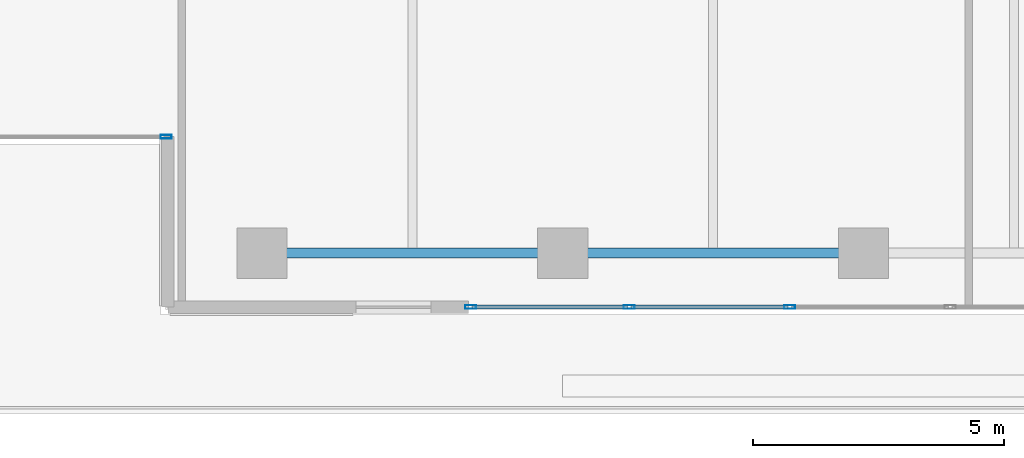
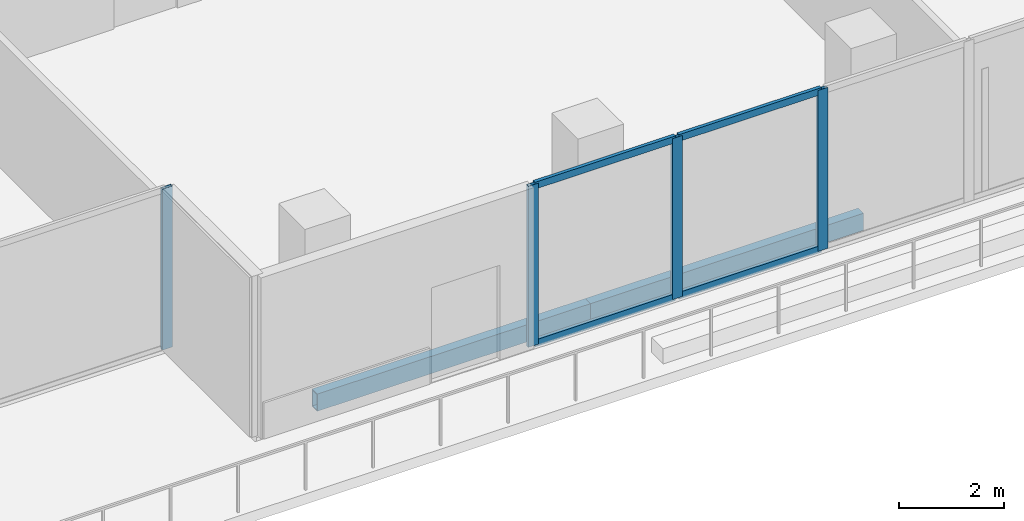
# One storey, part 6 of 38: 8 members, 2 beams, 2 elements without a shape of their own.
"""IFC4 building model written with IfcOpenShell, lengths in metres."""

from ifc_helpers import new_model, si_unit, direction, frame, origin, origin_2d, place, context, subcontext, project, spatial, hollow_rectangle, extrude, material, layer, layer_set, material_profile, profile_set, type_object, element, aggregate, save


model = new_model("IFC4")

# Units and contexts
model_context = context("Model", 3, precision=1e-05, world=origin(), true_north=direction((0.0, 1.0)))
body_context = subcontext(model_context, "Body", "Model", "MODEL_VIEW")
ifc_project = project(units=[si_unit("LENGTHUNIT", "METRE"), si_unit("AREAUNIT", "SQUARE_METRE"), si_unit("VOLUMEUNIT", "CUBIC_METRE"), si_unit("PLANEANGLEUNIT", "RADIAN"), si_unit("MASSUNIT", "GRAM", prefix="KILO")], contexts=[model_context])

# Site, building, storey
site_placement = place(None, origin())
site = spatial("IfcSite", under=ifc_project, at=site_placement, CompositionType="ELEMENT")
building_placement = place(site_placement, origin())
building = spatial("IfcBuilding", under=site, at=building_placement, Name="Tanjung Sevakor Pilgrim Tower", CompositionType="ELEMENT")
storey_placement = place(building_placement, frame((0.0, 0.0, 78.2099609375)))
storey = spatial("IfcBuildingStorey", under=building, at=storey_placement, Name="L21", CompositionType="ELEMENT", Elevation=78.2099609375)

# Beams
ifc_material_1 = material(Name="Steel S355J2", Category="steel")
ifc_material_profile_1 = material_profile(ifc_material_1, hollow_rectangle(XDim=0.199951171875, YDim=0.39990234375, WallThickness=0.01611328125, at=origin_2d()))
ifc_profile_set_1 = profile_set([ifc_material_profile_1], Name="Steel S355J2")
beam_type = type_object("IfcBeamType", Name="BM-B-SP2-RHS_400x200x16", PredefinedType="SPANDREL", material=ifc_profile_set_1)
for number, where, z_axis, x_axis, name in (
    (1, (54.0, 10.800048828125, -0.47998046875), (1.0, 0.0, 0.0), (0.0, 1.0, 0.0), "L21 Spandrel MAIN S-07"),
    (2, (60.0, 10.800048828125, -0.47998046875), (1.0, 0.0, 0.0), (0.0, 1.0, 0.0), "L21 Spandrel MAIN S-09"),
):
    element("IfcBeam", number, at=place(storey_placement, frame(where, z_axis=z_axis, x_axis=x_axis)), inside=storey, type_object=beam_type, Name=name, PredefinedType="SPANDREL", context=body_context, shape_type="SweptSolid", body=[
        extrude(hollow_rectangle(XDim=0.199951171875, YDim=0.39990234375, WallThickness=0.01611328125, at=origin_2d()), origin(), (0.0, 0.0, 1.0), 6.0),
    ])

# Curtain wall, member
ifc_material_2 = material(Name="Aluminium 6063-T6 and Low-E Glass", Category="aluminium")
ifc_layer_1 = layer(ifc_material_2, 0.179931640625)
ifc_layer_set_1 = layer_set([ifc_layer_1], Name="CW-SYS-CLEFT")
curtain_wall_type_1 = type_object("IfcCurtainWallType", Name="CW-SYS-CLEFT", PredefinedType="NOTDEFINED", material=ifc_layer_set_1)
curtain_wall_1_placement = place(storey_placement, origin())
curtain_wall_1 = element("IfcCurtainWall", 3, at=curtain_wall_1_placement, inside=storey, type_object=curtain_wall_type_1, Name="L21 Curtain Wall CW-CLF-L21-2", PredefinedType="NOTDEFINED")
ifc_material_3 = material(Name="Aluminium 6063-T6", Category="aluminium")
ifc_material_profile_2 = material_profile(ifc_material_3, hollow_rectangle(XDim=0.074951171875, YDim=0.219970703125, WallThickness=0.0048828125, at=origin_2d()))
ifc_profile_set_2 = profile_set([ifc_material_profile_2], Name="Aluminium 6063-T6")
member_type_1 = type_object("IfcMemberType", Name="TYPE-CWM-2", PredefinedType="MULLION", material=ifc_profile_set_2)
member_1_placement = place(storey_placement, frame((52.08740234375, 13.125, 0.0), z_axis=(0.0, 0.0, 1.0), x_axis=(0.0, 1.0, 0.0)))
member_1 = element("IfcMember", 4, at=member_1_placement, type_object=member_type_1, Name="CW-CLF mullion 2", PredefinedType="MULLION", context=body_context, shape_type="SweptSolid", body=[
    extrude(hollow_rectangle(XDim=0.074951171875, YDim=0.219970703125, WallThickness=0.0048828125, at=origin_2d()), origin(), (0.0, 0.0, 1.0), 3.739990234375),
])
aggregate(curtain_wall_1, [member_1])

# Curtain wall, members
ifc_material_4 = material(Name="Aluminium 6063-T6 and Low-E Glass", Category="aluminium")
ifc_layer_2 = layer(ifc_material_4, 0.199951171875)
ifc_layer_set_2 = layer_set([ifc_layer_2], Name="CW-SYS-SKY")
curtain_wall_type_2 = type_object("IfcCurtainWallType", Name="CW-SYS-SKY", PredefinedType="NOTDEFINED", material=ifc_layer_set_2)
curtain_wall_2_placement = place(storey_placement, origin())
curtain_wall_2 = element("IfcCurtainWall", 5, at=curtain_wall_2_placement, inside=storey, type_object=curtain_wall_type_2, Name="L21 Curtain Wall CW-SKY-L21-S", PredefinedType="NOTDEFINED")
member_2_placement = place(storey_placement, frame((58.16259765625, 9.72509765625, 0.0), z_axis=(0.0, 0.0, 1.0), x_axis=(0.0, 1.0, 0.0)))
member_2 = element("IfcMember", 6, at=member_2_placement, type_object=member_type_1, Name="CW-SKY mullion 1", PredefinedType="MULLION", context=body_context, shape_type="SweptSolid", body=[
    extrude(hollow_rectangle(XDim=0.074951171875, YDim=0.219970703125, WallThickness=0.0048828125, at=origin_2d()), origin(), (0.0, 0.0, 1.0), 3.739990234375),
])
member_3_placement = place(storey_placement, frame((61.327392578125, 9.72509765625, 0.0), z_axis=(0.0, 0.0, 1.0), x_axis=(0.0, 1.0, 0.0)))
member_3 = element("IfcMember", 7, at=member_3_placement, type_object=member_type_1, Name="CW-SKY mullion 2", PredefinedType="MULLION", context=body_context, shape_type="SweptSolid", body=[
    extrude(hollow_rectangle(XDim=0.074951171875, YDim=0.219970703125, WallThickness=0.0048828125, at=origin_2d()), origin(), (0.0, 0.0, 1.0), 3.739990234375),
])
member_4_placement = place(storey_placement, frame((64.529541015625, 9.72509765625, 0.0), z_axis=(0.0, 0.0, 1.0), x_axis=(0.0, 1.0, 0.0)))
member_4 = element("IfcMember", 8, at=member_4_placement, type_object=member_type_1, Name="CW-SKY mullion 3", PredefinedType="MULLION", context=body_context, shape_type="SweptSolid", body=[
    extrude(hollow_rectangle(XDim=0.074951171875, YDim=0.219970703125, WallThickness=0.0048828125, at=origin_2d()), origin(), (0.0, 0.0, 1.0), 3.739990234375),
])
ifc_material_5 = material(Name="Aluminium 6063-T6", Category="aluminium")
ifc_material_profile_3 = material_profile(ifc_material_5, hollow_rectangle(XDim=0.074951171875, YDim=0.159912109375, WallThickness=0.00439453125, at=origin_2d()))
ifc_profile_set_3 = profile_set([ifc_material_profile_3], Name="Aluminium 6063-T6")
member_type_2 = type_object("IfcMemberType", Name="TYPE-CWT-2", PredefinedType="USERDEFINED", material=ifc_profile_set_3)
member_5_placement = place(storey_placement, frame((58.199951171875, 9.72509765625, 0.03759765625), z_axis=(1.0, 0.0, 0.0), x_axis=(0.0, 1.0, 0.0)))
member_5 = element("IfcMember", 9, at=member_5_placement, type_object=member_type_2, Name="CW-SKY transom 1.1", ObjectType="TRANSOM", PredefinedType="USERDEFINED", context=body_context, shape_type="SweptSolid", body=[
    extrude(hollow_rectangle(XDim=0.074951171875, YDim=0.159912109375, WallThickness=0.00439453125, at=origin_2d()), origin(), (0.0, 0.0, 1.0), 3.08984375),
])
member_6_placement = place(storey_placement, frame((58.199951171875, 9.72509765625, 3.70263671875), z_axis=(1.0, 0.0, 0.0), x_axis=(0.0, 1.0, 0.0)))
member_6 = element("IfcMember", 10, at=member_6_placement, type_object=member_type_2, Name="CW-SKY transom 1.2", ObjectType="TRANSOM", PredefinedType="USERDEFINED", context=body_context, shape_type="SweptSolid", body=[
    extrude(hollow_rectangle(XDim=0.074951171875, YDim=0.159912109375, WallThickness=0.00439453125, at=origin_2d()), origin(), (0.0, 0.0, 1.0), 3.08984375),
])
member_7_placement = place(storey_placement, frame((61.36474609375, 9.72509765625, 0.03759765625), z_axis=(1.0, 0.0, 0.0), x_axis=(0.0, 1.0, 0.0)))
member_7 = element("IfcMember", 11, at=member_7_placement, type_object=member_type_2, Name="CW-SKY transom 2.1", ObjectType="TRANSOM", PredefinedType="USERDEFINED", context=body_context, shape_type="SweptSolid", body=[
    extrude(hollow_rectangle(XDim=0.074951171875, YDim=0.159912109375, WallThickness=0.00439453125, at=origin_2d()), origin(), (0.0, 0.0, 1.0), 3.12744140625),
])
member_8_placement = place(storey_placement, frame((61.36474609375, 9.72509765625, 3.70263671875), z_axis=(1.0, 0.0, 0.0), x_axis=(0.0, 1.0, 0.0)))
member_8 = element("IfcMember", 12, at=member_8_placement, type_object=member_type_2, Name="CW-SKY transom 2.2", ObjectType="TRANSOM", PredefinedType="USERDEFINED", context=body_context, shape_type="SweptSolid", body=[
    extrude(hollow_rectangle(XDim=0.074951171875, YDim=0.159912109375, WallThickness=0.00439453125, at=origin_2d()), origin(), (0.0, 0.0, 1.0), 3.12744140625),
])
aggregate(curtain_wall_2, [member_2, member_3, member_4, member_5, member_6, member_7, member_8])

save(model, "model.ifc")
